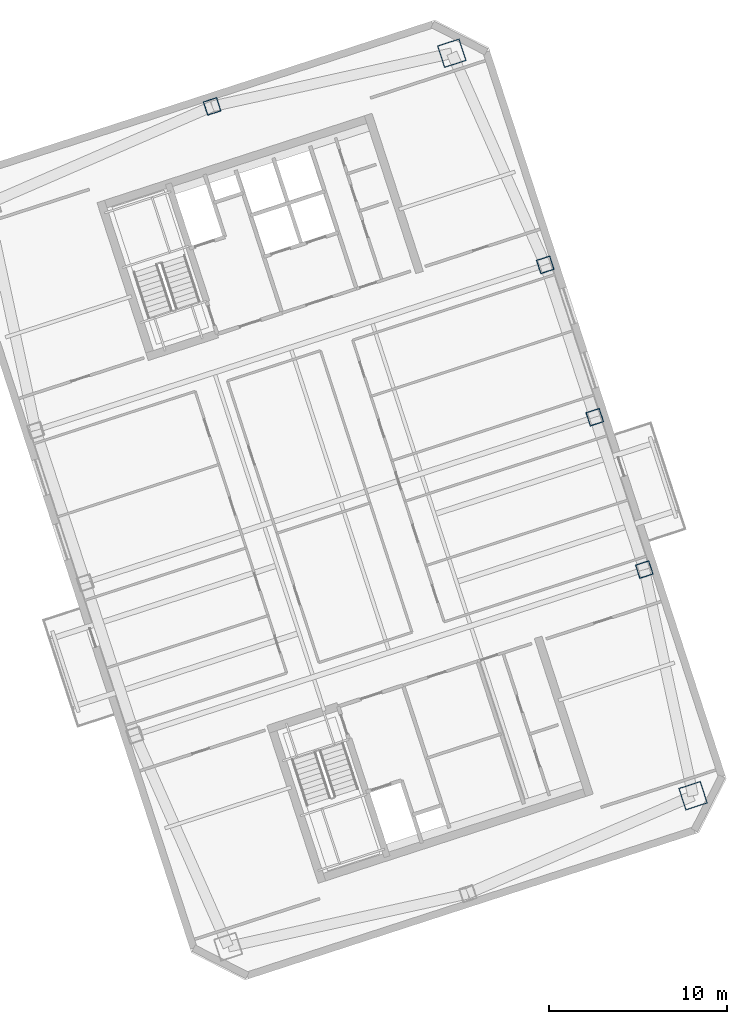
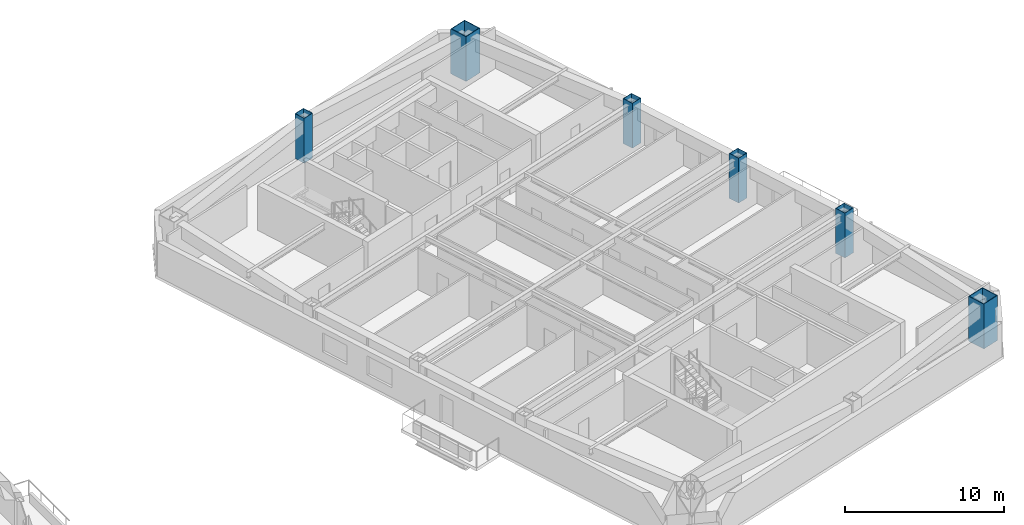
# One storey, part 2 of 16: 6 columns.
"""IFC4 building model written with IfcOpenShell, lengths in metres."""

from ifc_helpers import new_model, si_unit, direction, frame, origin, origin_2d, place, context, subcontext, project, spatial, hollow_rectangle, extrude, material, material_profile, profile_set, type_object, element, save


model = new_model("IFC4")

# Units and contexts
model_context = context("Model", 3, precision=1e-05, world=origin(), true_north=direction((0.0, 1.0)))
body_context = subcontext(model_context, "Body", "Model", "MODEL_VIEW")
ifc_project = project(units=[si_unit("LENGTHUNIT", "METRE"), si_unit("AREAUNIT", "SQUARE_METRE"), si_unit("VOLUMEUNIT", "CUBIC_METRE"), si_unit("PLANEANGLEUNIT", "RADIAN"), si_unit("MASSUNIT", "GRAM", prefix="KILO")], contexts=[model_context])

# Site, building, storey
site_placement = place(None, origin())
site = spatial("IfcSite", under=ifc_project, at=site_placement, CompositionType="ELEMENT")
building_placement = place(site_placement, origin())
building = spatial("IfcBuilding", under=site, at=building_placement, Name="Qiaolan Cultural Towers", CompositionType="ELEMENT")
storey_placement = place(building_placement, frame((0.0, 0.0, 188.60009765625)))
storey = spatial("IfcBuildingStorey", under=building, at=storey_placement, Name="L50", CompositionType="ELEMENT", Elevation=188.60009765625)

# Columns
ifc_material_1 = material(Name="Steel Q390GJB", Category="steel")
ifc_material_profile_1 = material_profile(ifc_material_1, hollow_rectangle(XDim=1.300048828125, YDim=1.300048828125, WallThickness=0.044921875, at=origin_2d()), Name="BOX1300x1300x45")
ifc_profile_set_1 = profile_set([ifc_material_profile_1], Name="Steel Q390GJB")
column_type_1 = type_object("IfcColumnType", Name="COL-BOX1300x1300x45", PredefinedType="COLUMN", material=ifc_profile_set_1)
for number, where, z_axis, x_axis, name in (
    (1, (109.834716796875, 17.38623046875, 0.0), (0.0, 0.0, 1.0), (0.951056516295, 0.309016994375, 0.0), "L50 T2 Perimeter Column MC-SE"),
    (2, (96.28125, 59.099365234375, 0.0), (0.0, 0.0, 1.0), (0.951056516295, 0.309016994375, 0.0), "L50 T2 Perimeter Column MC-NE"),
):
    element("IfcColumn", number, at=place(storey_placement, frame(where, z_axis=z_axis, x_axis=x_axis)), inside=storey, type_object=column_type_1, Name=name, PredefinedType="COLUMN", context=body_context, shape_type="SweptSolid", body=[
        extrude(hollow_rectangle(XDim=1.300048828125, YDim=1.300048828125, WallThickness=0.044921875, at=origin_2d()), origin(), (0.0, 0.0, 1.0), 3.450927734375),
    ])
ifc_material_2 = material(Name="Steel Q355B", Category="steel")
ifc_material_profile_2 = material_profile(ifc_material_2, hollow_rectangle(XDim=0.800048828125, YDim=0.800048828125, WallThickness=0.028076171875, at=origin_2d()), Name="BOX800x800x28")
ifc_profile_set_2 = profile_set([ifc_material_profile_2], Name="Steel Q355B")
column_type_2 = type_object("IfcColumnType", Name="COL-BOX800x800x28", PredefinedType="COLUMN", material=ifc_profile_set_2)
for number, where, z_axis, x_axis, name in (
    (3, (107.094482421875, 30.09130859375, 0.0), (0.0, 0.0, 1.0), (0.951056516295, 0.309016994375, 0.0), "L50 T2 Perimeter Column PC-E1"),
    (4, (104.3134765625, 38.650634765625, 0.0), (0.0, 0.0, 1.0), (0.951056516295, 0.309016994375, 0.0), "L50 T2 Perimeter Column PC-E2"),
    (5, (101.5322265625, 47.210205078125, 0.0), (0.0, 0.0, 1.0), (0.951056516295, 0.309016994375, 0.0), "L50 T2 Perimeter Column PC-E3"),
    (6, (82.8154296875, 56.112060546875, 0.0), (0.0, 0.0, 1.0), (0.951056516295, 0.309016994375, 0.0), "L50 T2 Perimeter Column PC-N0"),
):
    element("IfcColumn", number, at=place(storey_placement, frame(where, z_axis=z_axis, x_axis=x_axis)), inside=storey, type_object=column_type_2, Name=name, PredefinedType="COLUMN", context=body_context, shape_type="SweptSolid", body=[
        extrude(hollow_rectangle(XDim=0.800048828125, YDim=0.800048828125, WallThickness=0.028076171875, at=origin_2d()), origin(), (0.0, 0.0, 1.0), 3.450927734375),
    ])

save(model, "model.ifc")
